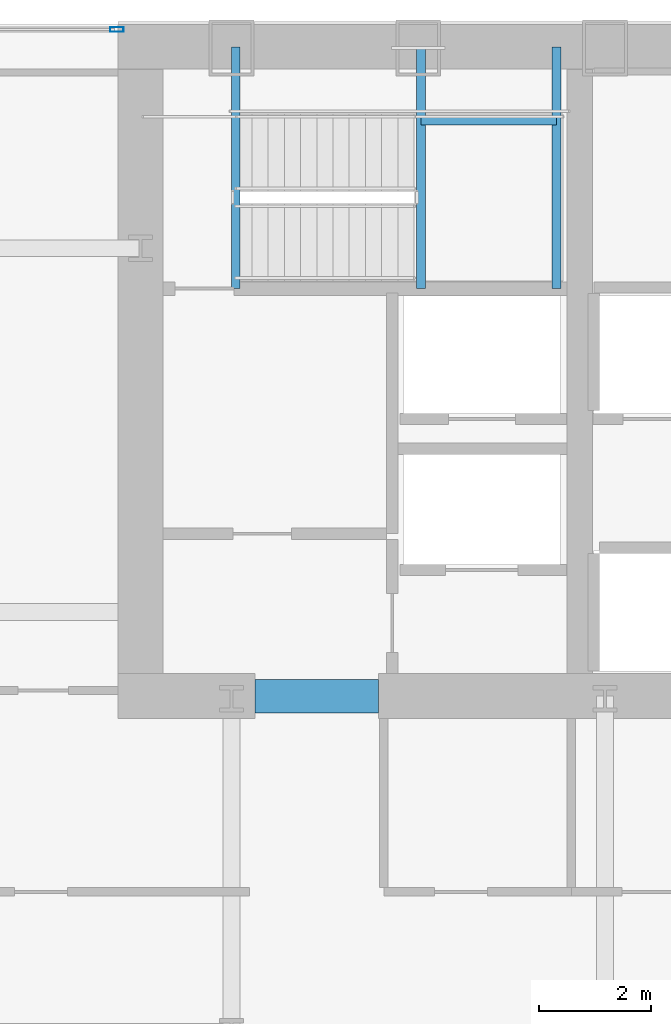
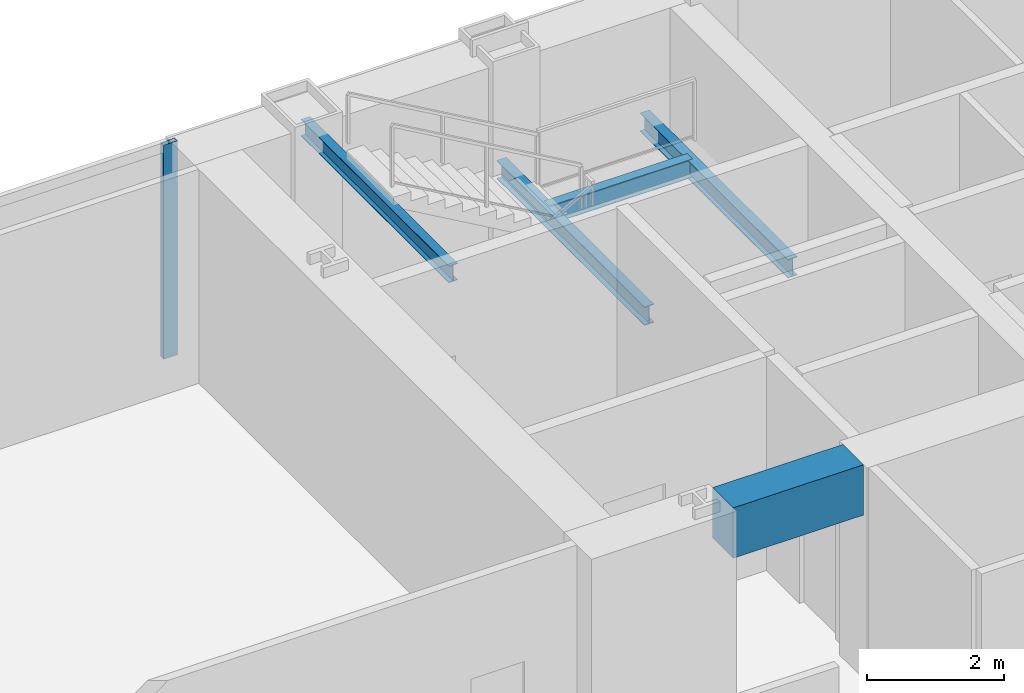
# One storey, part 18 of 33: 5 beams, 1 member, 1 element without a shape of its own.
"""IFC4 building model written with IfcOpenShell, lengths in metres."""

from ifc_helpers import new_model, si_unit, direction, frame, origin, origin_2d, place, context, subcontext, project, spatial, rectangle, hollow_rectangle, i_section, extrude, material, material_profile, profile_set, type_object, element, aggregate, save


model = new_model("IFC4")

# Units and contexts
model_context = context("Model", 3, precision=1e-05, world=origin(), true_north=direction((0.0, 1.0)))
body_context = subcontext(model_context, "Body", "Model", "MODEL_VIEW")
ifc_project = project(units=[si_unit("LENGTHUNIT", "METRE"), si_unit("AREAUNIT", "SQUARE_METRE"), si_unit("VOLUMEUNIT", "CUBIC_METRE"), si_unit("PLANEANGLEUNIT", "RADIAN"), si_unit("MASSUNIT", "GRAM", prefix="KILO")], contexts=[model_context])

# Site, building, storey
site_placement = place(None, origin())
site = spatial("IfcSite", under=ifc_project, at=site_placement, CompositionType="ELEMENT")
building_placement = place(site_placement, origin())
building = spatial("IfcBuilding", under=site, at=building_placement, Name="Khoronbel Lancet Exchange", CompositionType="ELEMENT")
storey_placement = place(building_placement, frame((0.0, 0.0, 33.800048828125)))
storey = spatial("IfcBuildingStorey", under=building, at=storey_placement, Name="L07", CompositionType="ELEMENT", Elevation=33.800048828125)

# Beams
ifc_material_1 = material(Name="Steel S355", Category="steel")
ifc_material_profile_1 = material_profile(ifc_material_1, i_section(OverallWidth=0.159912109375, OverallDepth=0.330078125, WebThickness=0.007568359375, FlangeThickness=0.011474609375, at=origin_2d()), Name="IPE 330")
ifc_profile_set_1 = profile_set([ifc_material_profile_1], Name="Steel S355")
beam_type_1 = type_object("IfcBeamType", Name="BM-BJ7", PredefinedType="JOIST", material=ifc_profile_set_1)
for number, where, z_axis, x_axis, name in (
    (1, (21.610107421875, 48.97998046875, 1.635009765625), (0.0, 1.0, 0.0), (-1.0, 0.0, 0.0), "Level L07 stair ST1 landing bearer beam 1"),
    (2, (24.030029296875, 48.97998046875, 1.635009765625), (0.0, 1.0, 0.0), (-1.0, 0.0, 0.0), "Level L07 stair ST1 rear landing bearer beam 1"),
):
    element("IfcBeam", number, at=place(storey_placement, frame(where, z_axis=z_axis, x_axis=x_axis)), inside=storey, type_object=beam_type_1, Name=name, PredefinedType="JOIST", context=body_context, shape_type="SweptSolid", body=[
        extrude(i_section(OverallWidth=0.159912109375, OverallDepth=0.330078125, WebThickness=0.007568359375, FlangeThickness=0.011474609375, at=origin_2d()), origin(), (0.0, 0.0, 1.0), 4.320068359375),
    ])
beam_1_placement = place(storey_placement, frame((21.610107421875, 51.97998046875, 1.635009765625), z_axis=(1.0, 0.0, 0.0), x_axis=(0.0, 1.0, 0.0)))
element("IfcBeam", 3, at=beam_1_placement, inside=storey, type_object=beam_type_1, Name="Level L07 stair ST1 landing cross trimmer beam 1", PredefinedType="JOIST", context=body_context, shape_type="SweptSolid", body=[
    extrude(i_section(OverallWidth=0.159912109375, OverallDepth=0.330078125, WebThickness=0.007568359375, FlangeThickness=0.011474609375, at=origin_2d()), origin(), (0.0, 0.0, 1.0), 2.419921875),
])
ifc_material_profile_2 = material_profile(ifc_material_1, i_section(OverallWidth=0.14990234375, OverallDepth=0.300048828125, WebThickness=0.007080078125, FlangeThickness=0.0107421875, at=origin_2d()), Name="IPE 300")
ifc_profile_set_2 = profile_set([ifc_material_profile_2], Name="Steel S355")
beam_type_2 = type_object("IfcBeamType", Name="BM-BJ8", PredefinedType="JOIST", material=ifc_profile_set_2)
beam_2_placement = place(storey_placement, frame((18.300048828125, 48.97998046875, 3.5400390625), z_axis=(0.0, 1.0, 0.0), x_axis=(-1.0, 0.0, 0.0)))
element("IfcBeam", 4, at=beam_2_placement, inside=storey, type_object=beam_type_2, Name="Level L07 stair ST1 upper-flight arrival trimmer beam", PredefinedType="JOIST", context=body_context, shape_type="SweptSolid", body=[
    extrude(i_section(OverallWidth=0.14990234375, OverallDepth=0.300048828125, WebThickness=0.007080078125, FlangeThickness=0.0107421875, at=origin_2d()), origin(), (0.0, 0.0, 1.0), 4.320068359375),
])
ifc_material_2 = material(Name="Concrete C80/95", Category="concrete")
ifc_material_profile_3 = material_profile(ifc_material_2, rectangle(XDim=0.60009765625, YDim=0.89990234375, at=origin_2d()), Name="RC 600x900")
ifc_profile_set_3 = profile_set([ifc_material_profile_3], Name="Concrete C80/95")
beam_type_3 = type_object("IfcBeamType", Name="BM-BL1", PredefinedType="LINTEL", material=ifc_profile_set_3)
beam_3_placement = place(storey_placement, frame((18.64990234375, 41.699951171875, 3.369873046875), z_axis=(1.0, 0.0, 0.0), x_axis=(0.0, 1.0, 0.0)))
element("IfcBeam", 5, at=beam_3_placement, inside=storey, type_object=beam_type_3, Name="Level L07 rear core coupling lintel L1", PredefinedType="LINTEL", context=body_context, shape_type="SweptSolid", body=[
    extrude(rectangle(XDim=0.60009765625, YDim=0.89990234375, at=origin_2d()), origin(), (0.0, 0.0, 1.0), 2.2001953125),
])

# Curtain wall, member
ifc_material_3 = material(Name="Low-E Solar Control Insulating Glass", Category="glass")
curtain_wall_type = type_object("IfcCurtainWallType", Name="CW-1", PredefinedType="NOTDEFINED", material=ifc_material_3)
curtain_wall_placement = place(storey_placement, origin())
curtain_wall = element("IfcCurtainWall", 6, at=curtain_wall_placement, inside=storey, type_object=curtain_wall_type, Name="Unitised curtain wall CW-L07-NWFLK", PredefinedType="NOTDEFINED")
ifc_material_4 = material(Name="Bronze-Anodised Aluminium 6063-T6", Category="aluminium")
ifc_material_profile_4 = material_profile(ifc_material_4, hollow_rectangle(XDim=0.0849609375, YDim=0.239990234375, WallThickness=0.006103515625, at=origin_2d()), Name="ALU MULLION 85x240")
ifc_profile_set_4 = profile_set([ifc_material_profile_4], Name="Bronze-Anodised Aluminium 6063-T6")
member_type = type_object("IfcMemberType", Name="MEM-CWM1", PredefinedType="MULLION", material=ifc_profile_set_4)
member_placement = place(storey_placement, frame((16.177490234375, 53.610107421875, 0.0), z_axis=(0.0, 0.0, 1.0), x_axis=(0.0, -1.0, 0.0)))
member = element("IfcMember", 7, at=member_placement, type_object=member_type, Name="CW1 mullion 1", PredefinedType="MULLION", context=body_context, shape_type="SweptSolid", body=[
    extrude(hollow_rectangle(XDim=0.0849609375, YDim=0.239990234375, WallThickness=0.006103515625, at=origin_2d()), origin(), (0.0, 0.0, 1.0), 3.820068359375),
])
aggregate(curtain_wall, [member])

save(model, "model.ifc")
